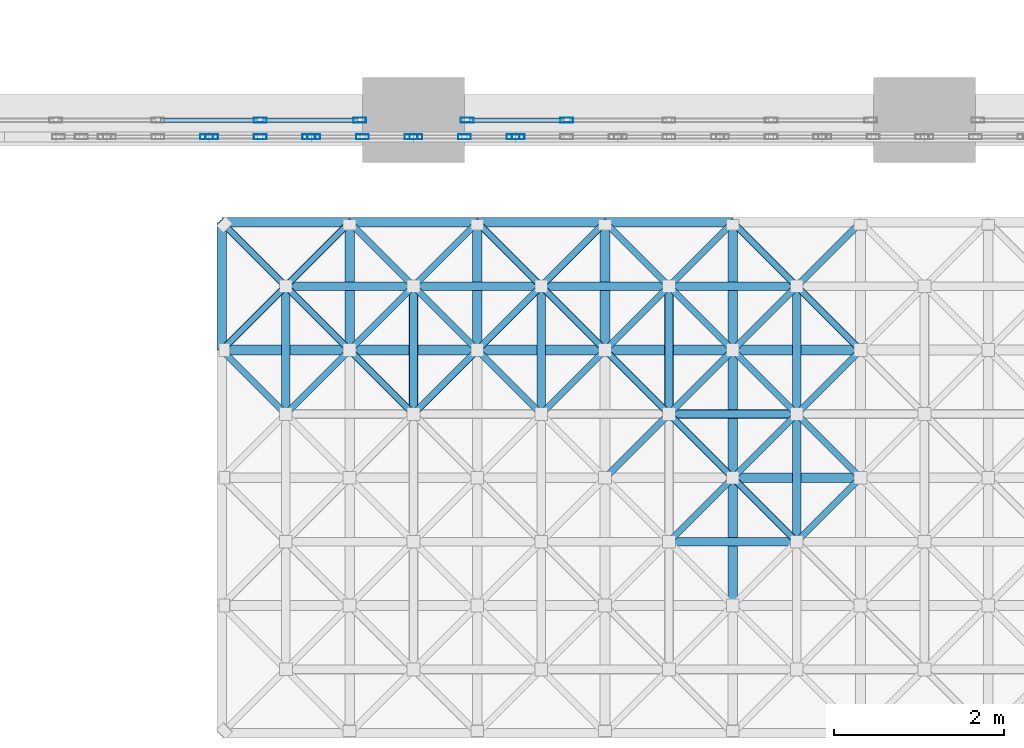
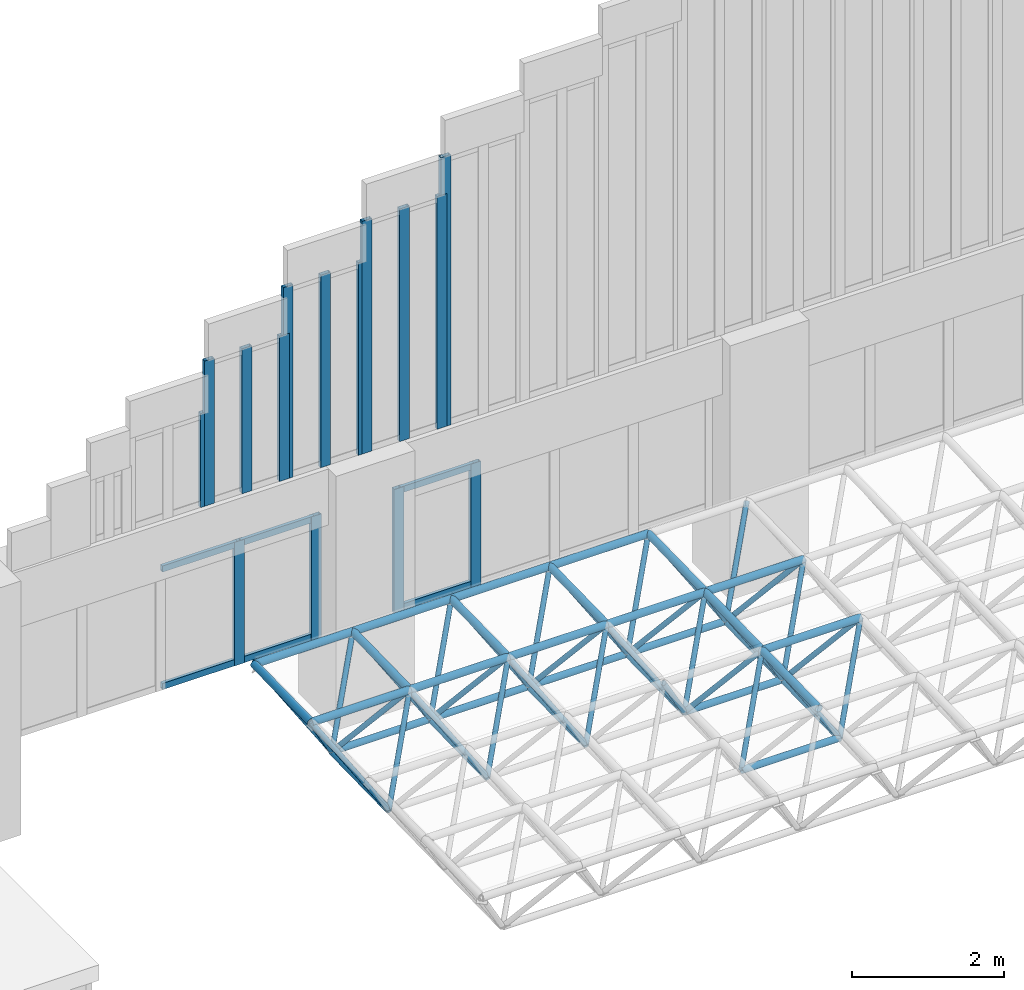
# One storey, part 9 of 103: 87 members, 7 elements without a shape of their own.
"""IFC4 building model written with IfcOpenShell, lengths in metres."""

from ifc_helpers import new_model, si_unit, direction, frame, origin, origin_2d, place, context, subcontext, project, spatial, hollow_rectangle, hollow_circle, extrude, material, material_profile, profile_set, type_object, element, aggregate, save


model = new_model("IFC4")

# Units and contexts
model_context = context("Model", 3, precision=1e-05, world=origin(), true_north=direction((0.0, 1.0)))
body_context = subcontext(model_context, "Body", "Model", "MODEL_VIEW")
ifc_project = project(units=[si_unit("LENGTHUNIT", "METRE"), si_unit("AREAUNIT", "SQUARE_METRE"), si_unit("VOLUMEUNIT", "CUBIC_METRE"), si_unit("PLANEANGLEUNIT", "RADIAN"), si_unit("MASSUNIT", "GRAM", prefix="KILO")], contexts=[model_context])

# Site, building, storey
site_placement = place(None, origin())
site = spatial("IfcSite", under=ifc_project, at=site_placement, CompositionType="ELEMENT")
building_placement = place(site_placement, origin())
building = spatial("IfcBuilding", under=site, at=building_placement, Name="Laocheng Heights Fire and Rescue Headquarters", CompositionType="ELEMENT")
storey_placement = place(building_placement, frame((0.0, 0.0, 4.199951171875)))
storey = spatial("IfcBuildingStorey", under=building, at=storey_placement, Name="L01", CompositionType="ELEMENT", Elevation=4.199951171875)

# Curtain wall, members
ifc_material_1 = material(Name="Aluminium gable glazing, low-e double glazing", Category="aluminium")
curtain_wall_type_1 = type_object("IfcCurtainWallType", Name="GABLE SPANDREL GLAZED UNIT 4800 x 1990", PredefinedType="NOTDEFINED", material=ifc_material_1)
curtain_wall_1_placement = place(storey_placement, origin())
curtain_wall_1 = element("IfcCurtainWall", 1, at=curtain_wall_1_placement, inside=storey, type_object=curtain_wall_type_1, Name="Gable spandrel glazing S1", PredefinedType="NOTDEFINED")
ifc_material_2 = material(Name="Aluminium 6063-T5 extrusion", Category="aluminium")
ifc_material_profile_1 = material_profile(ifc_material_2, hollow_rectangle(XDim=0.06005859375, YDim=0.14990234375, WallThickness=0.0029296875, at=origin_2d()), Name="AL MULLION 150x60x3")
ifc_profile_set_1 = profile_set([ifc_material_profile_1], Name="Aluminium 6063-T5 extrusion")
member_type_1 = type_object("IfcMemberType", Name="AL GABLE MULLION 150x60x3", PredefinedType="MULLION", material=ifc_profile_set_1)
member_1_placement = place(storey_placement, frame((22.199951171875, 0.0, 1.199951171875), z_axis=(0.0, 0.0, 1.0), x_axis=(0.0, 1.0, 0.0)))
member_1 = element("IfcMember", 2, at=member_1_placement, type_object=member_type_1, Name="X1-D mullion 4", PredefinedType="MULLION", context=body_context, shape_type="SweptSolid", body=[
    extrude(hollow_rectangle(XDim=0.06005859375, YDim=0.14990234375, WallThickness=0.0029296875, at=origin_2d()), origin(), (0.0, 0.0, 1.0), 1.990478515625),
])
member_2_placement = place(storey_placement, frame((23.3701171875, 0.0, 1.199951171875), z_axis=(0.0, 0.0, 1.0), x_axis=(0.0, 1.0, 0.0)))
member_2 = element("IfcMember", 3, at=member_2_placement, type_object=member_type_1, Name="X1-D mullion 5", PredefinedType="MULLION", context=body_context, shape_type="SweptSolid", body=[
    extrude(hollow_rectangle(XDim=0.06005859375, YDim=0.14990234375, WallThickness=0.0029296875, at=origin_2d()), origin(), (0.0, 0.0, 1.0), 1.990478515625),
])

curtain_wall_2_placement = place(storey_placement, origin())
curtain_wall_2 = element("IfcCurtainWall", 4, at=curtain_wall_2_placement, inside=storey, type_object=curtain_wall_type_1, Name="Gable spandrel glazing S2", PredefinedType="NOTDEFINED")
member_3_placement = place(storey_placement, frame((24.6298828125, 0.0, 1.199951171875), z_axis=(0.0, 0.0, 1.0), x_axis=(0.0, 1.0, 0.0)))
member_3 = element("IfcMember", 5, at=member_3_placement, type_object=member_type_1, Name="X1-D mullion 1", PredefinedType="MULLION", context=body_context, shape_type="SweptSolid", body=[
    extrude(hollow_rectangle(XDim=0.06005859375, YDim=0.14990234375, WallThickness=0.0029296875, at=origin_2d()), origin(), (0.0, 0.0, 1.0), 1.990478515625),
])
member_4_placement = place(storey_placement, frame((25.800048828125, 0.0, 1.199951171875), z_axis=(0.0, 0.0, 1.0), x_axis=(0.0, 1.0, 0.0)))
member_4 = element("IfcMember", 6, at=member_4_placement, type_object=member_type_1, Name="X1-D mullion 2", PredefinedType="MULLION", context=body_context, shape_type="SweptSolid", body=[
    extrude(hollow_rectangle(XDim=0.06005859375, YDim=0.14990234375, WallThickness=0.0029296875, at=origin_2d()), origin(), (0.0, 0.0, 1.0), 1.990478515625),
])

# Curtain wall, member
ifc_material_3 = material(Name="Aluminium gable glazing, low-e double glazing", Category="aluminium")
curtain_wall_type_2 = type_object("IfcCurtainWallType", Name="GABLE GLAZED UNIT 1200 x 1511", PredefinedType="NOTDEFINED", material=ifc_material_3)
curtain_wall_3_placement = place(storey_placement, origin())
curtain_wall_3 = element("IfcCurtainWall", 7, at=curtain_wall_3_placement, inside=storey, type_object=curtain_wall_type_2, Name="Gable glazing S04", PredefinedType="NOTDEFINED")
member_5_placement = place(storey_placement, frame((21.570068359375, -0.196533203125, 4.090576171875), z_axis=(0.0, 0.0, 1.0), x_axis=(0.0, 1.0, 0.0)))
member_5 = element("IfcMember", 8, at=member_5_placement, type_object=member_type_1, Name="X3-D mullion 3", PredefinedType="MULLION", context=body_context, shape_type="SweptSolid", body=[
    extrude(hollow_rectangle(XDim=0.06005859375, YDim=0.14990234375, WallThickness=0.0029296875, at=origin_2d()), origin(), (0.0, 0.0, 1.0), 1.511474609375),
])
aggregate(curtain_wall_3, [member_5])

# Curtain wall, members
ifc_material_4 = material(Name="Aluminium gable glazing, low-e double glazing", Category="aluminium")
curtain_wall_type_3 = type_object("IfcCurtainWallType", Name="GABLE GLAZED UNIT 1200 x 2336", PredefinedType="NOTDEFINED", material=ifc_material_4)
curtain_wall_4_placement = place(storey_placement, origin())
curtain_wall_4 = element("IfcCurtainWall", 9, at=curtain_wall_4_placement, inside=storey, type_object=curtain_wall_type_3, Name="Gable glazing S05", PredefinedType="NOTDEFINED")
member_6_placement = place(storey_placement, frame((21.6298828125, -0.196533203125, 4.090576171875), z_axis=(0.0, 0.0, 1.0), x_axis=(0.0, 1.0, 0.0)))
member_6 = element("IfcMember", 10, at=member_6_placement, type_object=member_type_1, Name="X4-D mullion 1", PredefinedType="MULLION", context=body_context, shape_type="SweptSolid", body=[
    extrude(hollow_rectangle(XDim=0.06005859375, YDim=0.14990234375, WallThickness=0.0029296875, at=origin_2d()), origin(), (0.0, 0.0, 1.0), 2.33544921875),
])
member_7_placement = place(storey_placement, frame((22.199951171875, -0.196533203125, 4.090576171875), z_axis=(0.0, 0.0, 1.0), x_axis=(0.0, 1.0, 0.0)))
member_7 = element("IfcMember", 11, at=member_7_placement, type_object=member_type_1, Name="X4-D mullion 2", PredefinedType="MULLION", context=body_context, shape_type="SweptSolid", body=[
    extrude(hollow_rectangle(XDim=0.06005859375, YDim=0.14990234375, WallThickness=0.0029296875, at=origin_2d()), origin(), (0.0, 0.0, 1.0), 2.33544921875),
])
member_8_placement = place(storey_placement, frame((22.77001953125, -0.196533203125, 4.090576171875), z_axis=(0.0, 0.0, 1.0), x_axis=(0.0, 1.0, 0.0)))
member_8 = element("IfcMember", 12, at=member_8_placement, type_object=member_type_1, Name="X4-D mullion 3", PredefinedType="MULLION", context=body_context, shape_type="SweptSolid", body=[
    extrude(hollow_rectangle(XDim=0.06005859375, YDim=0.14990234375, WallThickness=0.0029296875, at=origin_2d()), origin(), (0.0, 0.0, 1.0), 2.33544921875),
])
aggregate(curtain_wall_4, [member_6, member_7, member_8])

ifc_material_5 = material(Name="Aluminium gable glazing, low-e double glazing", Category="aluminium")
curtain_wall_type_4 = type_object("IfcCurtainWallType", Name="GABLE GLAZED UNIT 1200 x 3100", PredefinedType="NOTDEFINED", material=ifc_material_5)
curtain_wall_5_placement = place(storey_placement, origin())
curtain_wall_5 = element("IfcCurtainWall", 13, at=curtain_wall_5_placement, inside=storey, type_object=curtain_wall_type_4, Name="Gable glazing S06", PredefinedType="NOTDEFINED")
member_9_placement = place(storey_placement, frame((22.830078125, -0.196533203125, 4.090576171875), z_axis=(0.0, 0.0, 1.0), x_axis=(0.0, 1.0, 0.0)))
member_9 = element("IfcMember", 14, at=member_9_placement, type_object=member_type_1, Name="X5-D mullion 1", PredefinedType="MULLION", context=body_context, shape_type="SweptSolid", body=[
    extrude(hollow_rectangle(XDim=0.06005859375, YDim=0.14990234375, WallThickness=0.0029296875, at=origin_2d()), origin(), (0.0, 0.0, 1.0), 3.099365234375),
])
member_10_placement = place(storey_placement, frame((23.39990234375, -0.196533203125, 4.090576171875), z_axis=(0.0, 0.0, 1.0), x_axis=(0.0, 1.0, 0.0)))
member_10 = element("IfcMember", 15, at=member_10_placement, type_object=member_type_1, Name="X5-D mullion 2", PredefinedType="MULLION", context=body_context, shape_type="SweptSolid", body=[
    extrude(hollow_rectangle(XDim=0.06005859375, YDim=0.14990234375, WallThickness=0.0029296875, at=origin_2d()), origin(), (0.0, 0.0, 1.0), 3.099365234375),
])
member_11_placement = place(storey_placement, frame((23.969970703125, -0.196533203125, 4.090576171875), z_axis=(0.0, 0.0, 1.0), x_axis=(0.0, 1.0, 0.0)))
member_11 = element("IfcMember", 16, at=member_11_placement, type_object=member_type_1, Name="X5-D mullion 3", PredefinedType="MULLION", context=body_context, shape_type="SweptSolid", body=[
    extrude(hollow_rectangle(XDim=0.06005859375, YDim=0.14990234375, WallThickness=0.0029296875, at=origin_2d()), origin(), (0.0, 0.0, 1.0), 3.099365234375),
])
aggregate(curtain_wall_5, [member_9, member_10, member_11])

ifc_material_6 = material(Name="Aluminium gable glazing, low-e double glazing", Category="aluminium")
curtain_wall_type_5 = type_object("IfcCurtainWallType", Name="GABLE GLAZED UNIT 1200 x 3746", PredefinedType="NOTDEFINED", material=ifc_material_6)
curtain_wall_6_placement = place(storey_placement, origin())
curtain_wall_6 = element("IfcCurtainWall", 17, at=curtain_wall_6_placement, inside=storey, type_object=curtain_wall_type_5, Name="Gable glazing S07", PredefinedType="NOTDEFINED")
member_12_placement = place(storey_placement, frame((24.030029296875, -0.196533203125, 4.090576171875), z_axis=(0.0, 0.0, 1.0), x_axis=(0.0, 1.0, 0.0)))
member_12 = element("IfcMember", 18, at=member_12_placement, type_object=member_type_1, Name="X6-D mullion 1", PredefinedType="MULLION", context=body_context, shape_type="SweptSolid", body=[
    extrude(hollow_rectangle(XDim=0.06005859375, YDim=0.14990234375, WallThickness=0.0029296875, at=origin_2d()), origin(), (0.0, 0.0, 1.0), 3.745361328125),
])
member_13_placement = place(storey_placement, frame((24.60009765625, -0.196533203125, 4.090576171875), z_axis=(0.0, 0.0, 1.0), x_axis=(0.0, 1.0, 0.0)))
member_13 = element("IfcMember", 19, at=member_13_placement, type_object=member_type_1, Name="X6-D mullion 2", PredefinedType="MULLION", context=body_context, shape_type="SweptSolid", body=[
    extrude(hollow_rectangle(XDim=0.06005859375, YDim=0.14990234375, WallThickness=0.0029296875, at=origin_2d()), origin(), (0.0, 0.0, 1.0), 3.745361328125),
])
member_14_placement = place(storey_placement, frame((25.169921875, -0.196533203125, 4.090576171875), z_axis=(0.0, 0.0, 1.0), x_axis=(0.0, 1.0, 0.0)))
member_14 = element("IfcMember", 20, at=member_14_placement, type_object=member_type_1, Name="X6-D mullion 3", PredefinedType="MULLION", context=body_context, shape_type="SweptSolid", body=[
    extrude(hollow_rectangle(XDim=0.06005859375, YDim=0.14990234375, WallThickness=0.0029296875, at=origin_2d()), origin(), (0.0, 0.0, 1.0), 3.745361328125),
])
aggregate(curtain_wall_6, [member_12, member_13, member_14])

# Curtain wall, member
ifc_material_7 = material(Name="Aluminium gable glazing, low-e double glazing", Category="aluminium")
curtain_wall_type_6 = type_object("IfcCurtainWallType", Name="GABLE GLAZED UNIT 1200 x 4353", PredefinedType="NOTDEFINED", material=ifc_material_7)
curtain_wall_7_placement = place(storey_placement, origin())
curtain_wall_7 = element("IfcCurtainWall", 21, at=curtain_wall_7_placement, inside=storey, type_object=curtain_wall_type_6, Name="Gable glazing S08", PredefinedType="NOTDEFINED")
member_15_placement = place(storey_placement, frame((25.22998046875, -0.196533203125, 4.090576171875), z_axis=(0.0, 0.0, 1.0), x_axis=(0.0, 1.0, 0.0)))
member_15 = element("IfcMember", 22, at=member_15_placement, type_object=member_type_1, Name="X7-D mullion 1", PredefinedType="MULLION", context=body_context, shape_type="SweptSolid", body=[
    extrude(hollow_rectangle(XDim=0.06005859375, YDim=0.14990234375, WallThickness=0.0029296875, at=origin_2d()), origin(), (0.0, 0.0, 1.0), 4.3525390625),
])
aggregate(curtain_wall_7, [member_15])

# Member
ifc_material_8 = material(Name="Aluminium 6063-T5 extrusion", Category="aluminium")
ifc_material_profile_2 = material_profile(ifc_material_8, hollow_rectangle(XDim=0.050048828125, YDim=0.10009765625, WallThickness=0.0029296875, at=origin_2d()), Name="AL TRANSOM 100x50x3")
ifc_profile_set_2 = profile_set([ifc_material_profile_2], Name="Aluminium 6063-T5 extrusion")
member_type_2 = type_object("IfcMemberType", Name="AL GABLE TRANSOM 100x50x3", PredefinedType="USERDEFINED", material=ifc_profile_set_2)
member_16_placement = place(storey_placement, frame((21.030029296875, 0.0, 1.25), z_axis=(1.0, 0.0, 0.0), x_axis=(0.0, 1.0, 0.0)))
member_16 = element("IfcMember", 23, at=member_16_placement, type_object=member_type_2, Name="X1-D transom 3.1", ObjectType="TRANSOM", PredefinedType="USERDEFINED", context=body_context, shape_type="SweptSolid", body=[
    extrude(hollow_rectangle(XDim=0.050048828125, YDim=0.10009765625, WallThickness=0.0029296875, at=origin_2d()), origin(), (0.0, 0.0, 1.0), 1.139892578125),
])

member_17_placement = place(storey_placement, frame((21.030029296875, 0.0, 3.140625), z_axis=(1.0, 0.0, 0.0), x_axis=(0.0, 1.0, 0.0)))
member_17 = element("IfcMember", 24, at=member_17_placement, type_object=member_type_2, Name="X1-D transom 3.2", ObjectType="TRANSOM", PredefinedType="USERDEFINED", context=body_context, shape_type="SweptSolid", body=[
    extrude(hollow_rectangle(XDim=0.050048828125, YDim=0.10009765625, WallThickness=0.0029296875, at=origin_2d()), origin(), (0.0, 0.0, 1.0), 1.139892578125),
])

member_18_placement = place(storey_placement, frame((22.22998046875, 0.0, 1.25), z_axis=(1.0, 0.0, 0.0), x_axis=(0.0, 1.0, 0.0)))
member_18 = element("IfcMember", 25, at=member_18_placement, type_object=member_type_2, Name="X1-D transom 4.1", ObjectType="TRANSOM", PredefinedType="USERDEFINED", context=body_context, shape_type="SweptSolid", body=[
    extrude(hollow_rectangle(XDim=0.050048828125, YDim=0.10009765625, WallThickness=0.0029296875, at=origin_2d()), origin(), (0.0, 0.0, 1.0), 1.110107421875),
])

member_19_placement = place(storey_placement, frame((22.22998046875, 0.0, 3.140625), z_axis=(1.0, 0.0, 0.0), x_axis=(0.0, 1.0, 0.0)))
member_19 = element("IfcMember", 26, at=member_19_placement, type_object=member_type_2, Name="X1-D transom 4.2", ObjectType="TRANSOM", PredefinedType="USERDEFINED", context=body_context, shape_type="SweptSolid", body=[
    extrude(hollow_rectangle(XDim=0.050048828125, YDim=0.10009765625, WallThickness=0.0029296875, at=origin_2d()), origin(), (0.0, 0.0, 1.0), 1.110107421875),
])

aggregate(curtain_wall_1, [member_1, member_2, member_16, member_17, member_18, member_19])

member_20_placement = place(storey_placement, frame((24.659912109375, 0.0, 1.25), z_axis=(1.0, 0.0, 0.0), x_axis=(0.0, 1.0, 0.0)))
member_20 = element("IfcMember", 27, at=member_20_placement, type_object=member_type_2, Name="X1-D transom 1.1", ObjectType="TRANSOM", PredefinedType="USERDEFINED", context=body_context, shape_type="SweptSolid", body=[
    extrude(hollow_rectangle(XDim=0.050048828125, YDim=0.10009765625, WallThickness=0.0029296875, at=origin_2d()), origin(), (0.0, 0.0, 1.0), 1.110107421875),
])

member_21_placement = place(storey_placement, frame((24.659912109375, 0.0, 3.140625), z_axis=(1.0, 0.0, 0.0), x_axis=(0.0, 1.0, 0.0)))
member_21 = element("IfcMember", 28, at=member_21_placement, type_object=member_type_2, Name="X1-D transom 1.2", ObjectType="TRANSOM", PredefinedType="USERDEFINED", context=body_context, shape_type="SweptSolid", body=[
    extrude(hollow_rectangle(XDim=0.050048828125, YDim=0.10009765625, WallThickness=0.0029296875, at=origin_2d()), origin(), (0.0, 0.0, 1.0), 1.110107421875),
])

aggregate(curtain_wall_2, [member_3, member_4, member_20, member_21])

# Members
ifc_material_9 = material(Name="Steel Q355B", Category="steel")
ifc_material_profile_3 = material_profile(ifc_material_9, hollow_circle(Radius=0.05078125, WallThickness=0.00390625, at=origin_2d()), Name="CHS 101.6x4")
ifc_profile_set_3 = profile_set([ifc_material_profile_3], Name="Steel Q355B")
member_type_3 = type_object("IfcMemberType", Name="APRON CANOPY BOTTOM CHORD CHS 101.6x4", PredefinedType="CHORD", material=ifc_profile_set_3)
for number, where, z_axis, x_axis, name in (
    (29, (22.5, -1.949951171875, 0.861083984375), (1.0, 0.0, 0.0), (0.0, 1.0, 0.0), "Apron canopy bottom chord AC-B001"),
    (30, (24.0, -1.949951171875, 0.861083984375), (1.0, 0.0, 0.0), (0.0, 1.0, 0.0), "Apron canopy bottom chord AC-B002"),
    (31, (25.5, -1.949951171875, 0.861083984375), (1.0, 0.0, 0.0), (0.0, 1.0, 0.0), "Apron canopy bottom chord AC-B003"),
    (32, (27.0, -1.949951171875, 0.861083984375), (1.0, 0.0, 0.0), (0.0, 1.0, 0.0), "Apron canopy bottom chord AC-B004"),
    (33, (27.0, -3.449951171875, 0.8310546875), (1.0, 0.0, 0.0), (0.0, 1.0, 0.0), "Apron canopy bottom chord AC-B026"),
    (34, (27.0, -4.949951171875, 0.801025390625), (1.0, 0.0, 0.0), (0.0, 1.0, 0.0), "Apron canopy bottom chord AC-B048"),
):
    element("IfcMember", number, at=place(storey_placement, frame(where, z_axis=z_axis, x_axis=x_axis)), inside=storey, type_object=member_type_3, Name=name, PredefinedType="CHORD", context=body_context, shape_type="SweptSolid", body=[
        extrude(hollow_circle(Radius=0.05078125, WallThickness=0.00390625, at=origin_2d()), origin(), (0.0, 0.0, 1.0), 1.5),
    ])
for number, where, z_axis, x_axis, name in (
    (35, (22.5, -1.949951171875, 0.861083984375), (0.0, -0.999799669399, -0.020015520725), (1.0, 0.0, 0.0), "Apron canopy bottom chord AC-B089"),
    (36, (24.0, -1.949951171875, 0.861083984375), (0.0, -0.999799669399, -0.020015520725), (1.0, 0.0, 0.0), "Apron canopy bottom chord AC-B092"),
    (37, (25.5, -1.949951171875, 0.861083984375), (0.0, -0.999799669399, -0.020015520725), (1.0, 0.0, 0.0), "Apron canopy bottom chord AC-B095"),
    (38, (27.0, -1.949951171875, 0.861083984375), (0.0, -0.999799669399, -0.020015520725), (1.0, 0.0, 0.0), "Apron canopy bottom chord AC-B098"),
    (39, (28.5, -1.949951171875, 0.861083984375), (0.0, -0.999799669399, -0.020015520725), (1.0, 0.0, 0.0), "Apron canopy bottom chord AC-B101"),
    (40, (28.5, -3.449951171875, 0.8310546875), (0.0, -0.999799669399, -0.020015520725), (1.0, 0.0, 0.0), "Apron canopy bottom chord AC-B102"),
):
    element("IfcMember", number, at=place(storey_placement, frame(where, z_axis=z_axis, x_axis=x_axis)), inside=storey, type_object=member_type_3, Name=name, PredefinedType="CHORD", context=body_context, shape_type="SweptSolid", body=[
        extrude(hollow_circle(Radius=0.05078125, WallThickness=0.00390625, at=origin_2d()), origin(), (0.0, 0.0, 1.0), 1.500244140625),
    ])
ifc_material_10 = material(Name="Steel Q355B", Category="steel")
ifc_material_profile_4 = material_profile(ifc_material_10, hollow_circle(Radius=0.05712890625, WallThickness=0.0048828125, at=origin_2d()), Name="CHS 114.3x5")
ifc_profile_set_4 = profile_set([ifc_material_profile_4], Name="Steel Q355B")
member_type_4 = type_object("IfcMemberType", Name="APRON CANOPY TOP CHORD CHS 114.3x5", PredefinedType="CHORD", material=ifc_profile_set_4)
for number, where, z_axis, x_axis, name in (
    (41, (21.75, -1.199951171875, 2.075927734375), (1.0, 0.0, 0.0), (0.0, 1.0, 0.0), "Apron canopy top chord AC-T001"),
    (42, (23.25, -1.199951171875, 2.075927734375), (1.0, 0.0, 0.0), (0.0, 1.0, 0.0), "Apron canopy top chord AC-T002"),
    (43, (24.75, -1.199951171875, 2.075927734375), (1.0, 0.0, 0.0), (0.0, 1.0, 0.0), "Apron canopy top chord AC-T003"),
    (44, (26.25, -1.199951171875, 2.075927734375), (1.0, 0.0, 0.0), (0.0, 1.0, 0.0), "Apron canopy top chord AC-T004"),
    (45, (21.75, -2.699951171875, 2.046142578125), (1.0, 0.0, 0.0), (0.0, 1.0, 0.0), "Apron canopy top chord AC-T024"),
    (46, (23.25, -2.699951171875, 2.046142578125), (1.0, 0.0, 0.0), (0.0, 1.0, 0.0), "Apron canopy top chord AC-T025"),
    (47, (24.75, -2.699951171875, 2.046142578125), (1.0, 0.0, 0.0), (0.0, 1.0, 0.0), "Apron canopy top chord AC-T026"),
    (48, (26.25, -2.699951171875, 2.046142578125), (1.0, 0.0, 0.0), (0.0, 1.0, 0.0), "Apron canopy top chord AC-T027"),
    (49, (27.75, -2.699951171875, 2.046142578125), (1.0, 0.0, 0.0), (0.0, 1.0, 0.0), "Apron canopy top chord AC-T028"),
    (50, (27.75, -4.199951171875, 2.01611328125), (1.0, 0.0, 0.0), (0.0, 1.0, 0.0), "Apron canopy top chord AC-T051"),
):
    element("IfcMember", number, at=place(storey_placement, frame(where, z_axis=z_axis, x_axis=x_axis)), inside=storey, type_object=member_type_4, Name=name, PredefinedType="CHORD", context=body_context, shape_type="SweptSolid", body=[
        extrude(hollow_circle(Radius=0.05712890625, WallThickness=0.0048828125, at=origin_2d()), origin(), (0.0, 0.0, 1.0), 1.5),
    ])
for number, where, z_axis, x_axis, name in (
    (51, (21.75, -1.199951171875, 2.075927734375), (0.0, -0.999802912607, -0.019852857314), (1.0, 0.0, 0.0), "Apron canopy top chord AC-T116"),
    (52, (23.25, -1.199951171875, 2.075927734375), (0.0, -0.999802912607, -0.019852857314), (1.0, 0.0, 0.0), "Apron canopy top chord AC-T120"),
    (53, (24.75, -1.199951171875, 2.075927734375), (0.0, -0.999802912607, -0.019852857314), (1.0, 0.0, 0.0), "Apron canopy top chord AC-T124"),
    (54, (26.25, -1.199951171875, 2.075927734375), (0.0, -0.999802912607, -0.019852857314), (1.0, 0.0, 0.0), "Apron canopy top chord AC-T128"),
    (55, (27.75, -1.199951171875, 2.075927734375), (0.0, -0.999802912607, -0.019852857314), (1.0, 0.0, 0.0), "Apron canopy top chord AC-T132"),
    (56, (27.75, -2.699951171875, 2.046142578125), (0.0, -0.999799669399, -0.020015520725), (1.0, 0.0, 0.0), "Apron canopy top chord AC-T133"),
    (57, (27.75, -4.199951171875, 2.01611328125), (0.0, -0.999799669399, -0.020015520725), (1.0, 0.0, 0.0), "Apron canopy top chord AC-T134"),
):
    element("IfcMember", number, at=place(storey_placement, frame(where, z_axis=z_axis, x_axis=x_axis)), inside=storey, type_object=member_type_4, Name=name, PredefinedType="CHORD", context=body_context, shape_type="SweptSolid", body=[
        extrude(hollow_circle(Radius=0.05712890625, WallThickness=0.0048828125, at=origin_2d()), origin(), (0.0, 0.0, 1.0), 1.500244140625),
    ])
ifc_material_11 = material(Name="Steel Q355B", Category="steel")
ifc_material_profile_5 = material_profile(ifc_material_11, hollow_circle(Radius=0.0380859375, WallThickness=0.00390625, at=origin_2d()), Name="CHS 76.1x4")
ifc_profile_set_5 = profile_set([ifc_material_profile_5], Name="Steel Q355B")
member_type_5 = type_object("IfcMemberType", Name="APRON CANOPY WEB CHS 76.1x4", PredefinedType="BRACE", material=ifc_profile_set_5)
for number, where, z_axis, x_axis, name in (
    (58, (22.5, -1.949951171875, 0.861083984375), (-0.46505465934, 0.46505465934, 0.753291661743), (-0.707106781187, -0.707106781187, 0.0), "Apron canopy web AC-W001"),
    (59, (22.5, -1.949951171875, 0.861083984375), (0.46505465934, 0.46505465934, 0.753291661743), (-0.707106781187, 0.707106781187, 0.0), "Apron canopy web AC-W002"),
):
    element("IfcMember", number, at=place(storey_placement, frame(where, z_axis=z_axis, x_axis=x_axis)), inside=storey, type_object=member_type_5, Name=name, PredefinedType="BRACE", context=body_context, shape_type="SweptSolid", body=[
        extrude(hollow_circle(Radius=0.0380859375, WallThickness=0.00390625, at=origin_2d()), origin(), (0.0, 0.0, 1.0), 1.61279296875),
    ])
for number, where, z_axis, x_axis, name in (
    (60, (22.5, -1.949951171875, 0.861083984375), (-0.471580249604, -0.471580249604, 0.745133636582), (0.707106781187, -0.707106781187, 0.0), "Apron canopy web AC-W003"),
    (61, (22.5, -1.949951171875, 0.861083984375), (0.471580249604, -0.471580249604, 0.745133636582), (0.707106781187, 0.707106781187, 0.0), "Apron canopy web AC-W004"),
):
    element("IfcMember", number, at=place(storey_placement, frame(where, z_axis=z_axis, x_axis=x_axis)), inside=storey, type_object=member_type_5, Name=name, PredefinedType="BRACE", context=body_context, shape_type="SweptSolid", body=[
        extrude(hollow_circle(Radius=0.0380859375, WallThickness=0.00390625, at=origin_2d()), origin(), (0.0, 0.0, 1.0), 1.59033203125),
    ])
for number, where, z_axis, x_axis, name in (
    (62, (24.0, -1.949951171875, 0.861083984375), (-0.46505465934, 0.46505465934, 0.753291661743), (-0.707106781187, -0.707106781187, 0.0), "Apron canopy web AC-W005"),
    (63, (24.0, -1.949951171875, 0.861083984375), (0.46505465934, 0.46505465934, 0.753291661743), (-0.707106781187, 0.707106781187, 0.0), "Apron canopy web AC-W006"),
):
    element("IfcMember", number, at=place(storey_placement, frame(where, z_axis=z_axis, x_axis=x_axis)), inside=storey, type_object=member_type_5, Name=name, PredefinedType="BRACE", context=body_context, shape_type="SweptSolid", body=[
        extrude(hollow_circle(Radius=0.0380859375, WallThickness=0.00390625, at=origin_2d()), origin(), (0.0, 0.0, 1.0), 1.61279296875),
    ])
for number, where, z_axis, x_axis, name in (
    (64, (24.0, -1.949951171875, 0.861083984375), (-0.471580249604, -0.471580249604, 0.745133636582), (0.707106781187, -0.707106781187, 0.0), "Apron canopy web AC-W007"),
    (65, (24.0, -1.949951171875, 0.861083984375), (0.471580249604, -0.471580249604, 0.745133636582), (0.707106781187, 0.707106781187, 0.0), "Apron canopy web AC-W008"),
):
    element("IfcMember", number, at=place(storey_placement, frame(where, z_axis=z_axis, x_axis=x_axis)), inside=storey, type_object=member_type_5, Name=name, PredefinedType="BRACE", context=body_context, shape_type="SweptSolid", body=[
        extrude(hollow_circle(Radius=0.0380859375, WallThickness=0.00390625, at=origin_2d()), origin(), (0.0, 0.0, 1.0), 1.59033203125),
    ])
for number, where, z_axis, x_axis, name in (
    (66, (25.5, -1.949951171875, 0.861083984375), (-0.46505465934, 0.46505465934, 0.753291661743), (-0.707106781187, -0.707106781187, 0.0), "Apron canopy web AC-W009"),
    (67, (25.5, -1.949951171875, 0.861083984375), (0.46505465934, 0.46505465934, 0.753291661743), (-0.707106781187, 0.707106781187, 0.0), "Apron canopy web AC-W010"),
):
    element("IfcMember", number, at=place(storey_placement, frame(where, z_axis=z_axis, x_axis=x_axis)), inside=storey, type_object=member_type_5, Name=name, PredefinedType="BRACE", context=body_context, shape_type="SweptSolid", body=[
        extrude(hollow_circle(Radius=0.0380859375, WallThickness=0.00390625, at=origin_2d()), origin(), (0.0, 0.0, 1.0), 1.61279296875),
    ])
for number, where, z_axis, x_axis, name in (
    (68, (25.5, -1.949951171875, 0.861083984375), (-0.471580249604, -0.471580249604, 0.745133636582), (0.707106781187, -0.707106781187, 0.0), "Apron canopy web AC-W011"),
    (69, (25.5, -1.949951171875, 0.861083984375), (0.471580249604, -0.471580249604, 0.745133636582), (0.707106781187, 0.707106781187, 0.0), "Apron canopy web AC-W012"),
):
    element("IfcMember", number, at=place(storey_placement, frame(where, z_axis=z_axis, x_axis=x_axis)), inside=storey, type_object=member_type_5, Name=name, PredefinedType="BRACE", context=body_context, shape_type="SweptSolid", body=[
        extrude(hollow_circle(Radius=0.0380859375, WallThickness=0.00390625, at=origin_2d()), origin(), (0.0, 0.0, 1.0), 1.59033203125),
    ])
for number, where, z_axis, x_axis, name in (
    (70, (27.0, -1.949951171875, 0.861083984375), (-0.46505465934, 0.46505465934, 0.753291661743), (-0.707106781187, -0.707106781187, 0.0), "Apron canopy web AC-W013"),
    (71, (27.0, -1.949951171875, 0.861083984375), (0.46505465934, 0.46505465934, 0.753291661743), (-0.707106781187, 0.707106781187, 0.0), "Apron canopy web AC-W014"),
):
    element("IfcMember", number, at=place(storey_placement, frame(where, z_axis=z_axis, x_axis=x_axis)), inside=storey, type_object=member_type_5, Name=name, PredefinedType="BRACE", context=body_context, shape_type="SweptSolid", body=[
        extrude(hollow_circle(Radius=0.0380859375, WallThickness=0.00390625, at=origin_2d()), origin(), (0.0, 0.0, 1.0), 1.61279296875),
    ])
for number, where, z_axis, x_axis, name in (
    (72, (27.0, -1.949951171875, 0.861083984375), (-0.471580249604, -0.471580249604, 0.745133636582), (0.707106781187, -0.707106781187, 0.0), "Apron canopy web AC-W015"),
    (73, (27.0, -1.949951171875, 0.861083984375), (0.471580249604, -0.471580249604, 0.745133636582), (0.707106781187, 0.707106781187, 0.0), "Apron canopy web AC-W016"),
):
    element("IfcMember", number, at=place(storey_placement, frame(where, z_axis=z_axis, x_axis=x_axis)), inside=storey, type_object=member_type_5, Name=name, PredefinedType="BRACE", context=body_context, shape_type="SweptSolid", body=[
        extrude(hollow_circle(Radius=0.0380859375, WallThickness=0.00390625, at=origin_2d()), origin(), (0.0, 0.0, 1.0), 1.59033203125),
    ])
for number, where, z_axis, x_axis, name in (
    (74, (28.5, -1.949951171875, 0.861083984375), (-0.46505465934, 0.46505465934, 0.753291661743), (-0.707106781187, -0.707106781187, 0.0), "Apron canopy web AC-W017"),
    (75, (28.5, -1.949951171875, 0.861083984375), (0.46505465934, 0.46505465934, 0.753291661743), (-0.707106781187, 0.707106781187, 0.0), "Apron canopy web AC-W018"),
):
    element("IfcMember", number, at=place(storey_placement, frame(where, z_axis=z_axis, x_axis=x_axis)), inside=storey, type_object=member_type_5, Name=name, PredefinedType="BRACE", context=body_context, shape_type="SweptSolid", body=[
        extrude(hollow_circle(Radius=0.0380859375, WallThickness=0.00390625, at=origin_2d()), origin(), (0.0, 0.0, 1.0), 1.61279296875),
    ])
for number, where, z_axis, x_axis, name in (
    (76, (28.5, -1.949951171875, 0.861083984375), (-0.471580249604, -0.471580249604, 0.745133636582), (0.707106781187, -0.707106781187, 0.0), "Apron canopy web AC-W019"),
    (77, (28.5, -1.949951171875, 0.861083984375), (0.471580249604, -0.471580249604, 0.745133636582), (0.707106781187, 0.707106781187, 0.0), "Apron canopy web AC-W020"),
):
    element("IfcMember", number, at=place(storey_placement, frame(where, z_axis=z_axis, x_axis=x_axis)), inside=storey, type_object=member_type_5, Name=name, PredefinedType="BRACE", context=body_context, shape_type="SweptSolid", body=[
        extrude(hollow_circle(Radius=0.0380859375, WallThickness=0.00390625, at=origin_2d()), origin(), (0.0, 0.0, 1.0), 1.59033203125),
    ])
for number, where, z_axis, x_axis, name in (
    (78, (22.5, -3.449951171875, 0.8310546875), (-0.465001629625, 0.465001629625, 0.75335713237), (-0.707106781187, -0.707106781187, 0.0), "Apron canopy web AC-W093"),
    (79, (22.5, -3.449951171875, 0.8310546875), (0.465001629625, 0.465001629625, 0.75335713237), (-0.707106781187, 0.707106781187, 0.0), "Apron canopy web AC-W094"),
    (80, (24.0, -3.449951171875, 0.8310546875), (-0.465001629625, 0.465001629625, 0.75335713237), (-0.707106781187, -0.707106781187, 0.0), "Apron canopy web AC-W097"),
    (81, (24.0, -3.449951171875, 0.8310546875), (0.465001629625, 0.465001629625, 0.75335713237), (-0.707106781187, 0.707106781187, 0.0), "Apron canopy web AC-W098"),
    (82, (25.5, -3.449951171875, 0.8310546875), (-0.465001629625, 0.465001629625, 0.75335713237), (-0.707106781187, -0.707106781187, 0.0), "Apron canopy web AC-W101"),
    (83, (25.5, -3.449951171875, 0.8310546875), (0.465001629625, 0.465001629625, 0.75335713237), (-0.707106781187, 0.707106781187, 0.0), "Apron canopy web AC-W102"),
    (84, (27.0, -3.449951171875, 0.8310546875), (-0.465001629625, 0.465001629625, 0.75335713237), (-0.707106781187, -0.707106781187, 0.0), "Apron canopy web AC-W105"),
    (85, (27.0, -3.449951171875, 0.8310546875), (0.465001629625, 0.465001629625, 0.75335713237), (-0.707106781187, 0.707106781187, 0.0), "Apron canopy web AC-W106"),
):
    element("IfcMember", number, at=place(storey_placement, frame(where, z_axis=z_axis, x_axis=x_axis)), inside=storey, type_object=member_type_5, Name=name, PredefinedType="BRACE", context=body_context, shape_type="SweptSolid", body=[
        extrude(hollow_circle(Radius=0.0380859375, WallThickness=0.00390625, at=origin_2d()), origin(), (0.0, 0.0, 1.0), 1.61279296875),
    ])
for number, where, z_axis, x_axis, name in (
    (86, (27.0, -3.449951171875, 0.8310546875), (-0.471580249604, -0.471580249604, 0.745133636582), (0.707106781187, -0.707106781187, 0.0), "Apron canopy web AC-W107"),
    (87, (27.0, -3.449951171875, 0.8310546875), (0.471580249604, -0.471580249604, 0.745133636582), (0.707106781187, 0.707106781187, 0.0), "Apron canopy web AC-W108"),
):
    element("IfcMember", number, at=place(storey_placement, frame(where, z_axis=z_axis, x_axis=x_axis)), inside=storey, type_object=member_type_5, Name=name, PredefinedType="BRACE", context=body_context, shape_type="SweptSolid", body=[
        extrude(hollow_circle(Radius=0.0380859375, WallThickness=0.00390625, at=origin_2d()), origin(), (0.0, 0.0, 1.0), 1.59033203125),
    ])
for number, where, z_axis, x_axis, name in (
    (88, (28.5, -3.449951171875, 0.8310546875), (-0.465001629625, 0.465001629625, 0.75335713237), (-0.707106781187, -0.707106781187, 0.0), "Apron canopy web AC-W109"),
    (89, (28.5, -3.449951171875, 0.8310546875), (0.465001629625, 0.465001629625, 0.75335713237), (-0.707106781187, 0.707106781187, 0.0), "Apron canopy web AC-W110"),
):
    element("IfcMember", number, at=place(storey_placement, frame(where, z_axis=z_axis, x_axis=x_axis)), inside=storey, type_object=member_type_5, Name=name, PredefinedType="BRACE", context=body_context, shape_type="SweptSolid", body=[
        extrude(hollow_circle(Radius=0.0380859375, WallThickness=0.00390625, at=origin_2d()), origin(), (0.0, 0.0, 1.0), 1.61279296875),
    ])
for number, where, z_axis, x_axis, name in (
    (90, (28.5, -3.449951171875, 0.8310546875), (-0.471580249604, -0.471580249604, 0.745133636582), (0.707106781187, -0.707106781187, 0.0), "Apron canopy web AC-W111"),
    (91, (28.5, -3.449951171875, 0.8310546875), (0.471580249604, -0.471580249604, 0.745133636582), (0.707106781187, 0.707106781187, 0.0), "Apron canopy web AC-W112"),
):
    element("IfcMember", number, at=place(storey_placement, frame(where, z_axis=z_axis, x_axis=x_axis)), inside=storey, type_object=member_type_5, Name=name, PredefinedType="BRACE", context=body_context, shape_type="SweptSolid", body=[
        extrude(hollow_circle(Radius=0.0380859375, WallThickness=0.00390625, at=origin_2d()), origin(), (0.0, 0.0, 1.0), 1.59033203125),
    ])
for number, where, z_axis, x_axis, name in (
    (92, (27.0, -4.949951171875, 0.801025390625), (0.465001629625, 0.465001629625, 0.75335713237), (-0.707106781187, 0.707106781187, 0.0), "Apron canopy web AC-W198"),
    (93, (28.5, -4.949951171875, 0.801025390625), (-0.465001629625, 0.465001629625, 0.75335713237), (-0.707106781187, -0.707106781187, 0.0), "Apron canopy web AC-W201"),
    (94, (28.5, -4.949951171875, 0.801025390625), (0.465001629625, 0.465001629625, 0.75335713237), (-0.707106781187, 0.707106781187, 0.0), "Apron canopy web AC-W202"),
):
    element("IfcMember", number, at=place(storey_placement, frame(where, z_axis=z_axis, x_axis=x_axis)), inside=storey, type_object=member_type_5, Name=name, PredefinedType="BRACE", context=body_context, shape_type="SweptSolid", body=[
        extrude(hollow_circle(Radius=0.0380859375, WallThickness=0.00390625, at=origin_2d()), origin(), (0.0, 0.0, 1.0), 1.61279296875),
    ])

save(model, "model.ifc")
